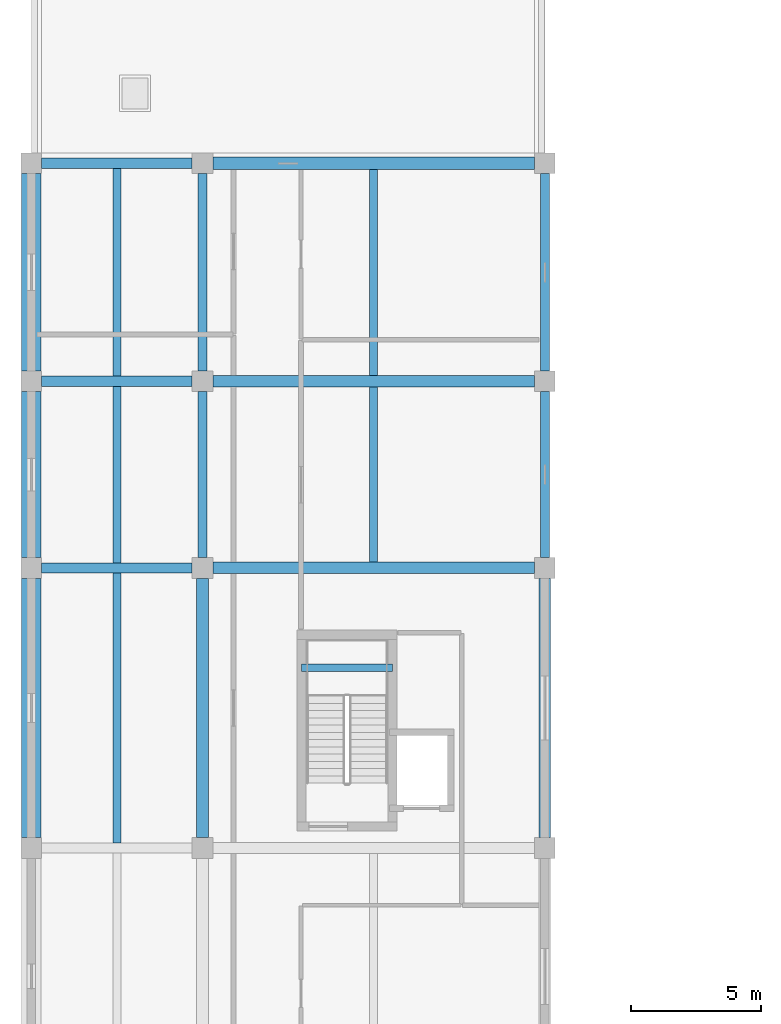
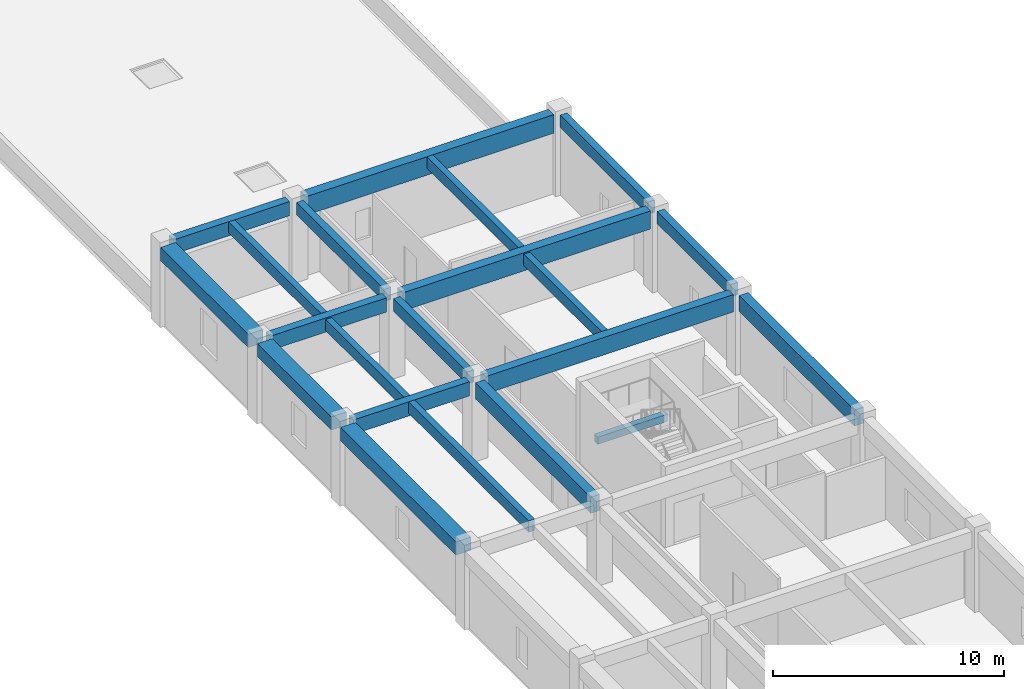
# One storey, part 23 of 54: 21 beams.
"""IFC4 building model written with IfcOpenShell, lengths in metres."""

import ifcopenshell
import ifcopenshell.guid

model = None  # the IFC model being written
_history = None  # IfcOwnerHistory: only IFC2X3 demands one
_inside = {}  # id of a spatial element -> (the spatial element, [elements in it])
_under = {}  # id of a project, library or spatial element -> (it, [spatial elements below it])
_declared = {}  # id of a project -> (the project, [libraries it declares])
_typed = {}  # id of a type object -> (the type object, [elements of that type])
_made_of = {}  # id of a material, layer set ... -> (it, [elements and type objects made of it])


def new_model(schema):
    """Start an empty IFC model of exactly this schema.

    Asked for "IFC4X3", IfcOpenShell would pick the latest addendum, in which some entities
    have other attributes; the version numbers below select the first issue.
    IFC2X3 requires an IfcOwnerHistory on every rooted entity: one is made here for all.
    """
    global model, _history
    if schema == "IFC4X3":
        model = ifcopenshell.file(schema_version=(4, 3, 0, 0))
    else:
        model = ifcopenshell.file(schema=schema)
    _inside.clear()
    _under.clear()
    _declared.clear()
    _typed.clear()
    _made_of.clear()
    _history = None
    if model.schema == "IFC2X3":
        org = make("IfcOrganization", Name="unknown")
        user = make(
            "IfcPersonAndOrganization",
            ThePerson=make("IfcPerson", FamilyName="unknown"),
            TheOrganization=org,
        )
        app = make(
            "IfcApplication",
            ApplicationDeveloper=org,
            Version="unknown",
            ApplicationFullName="unknown",
            ApplicationIdentifier="unknown",
        )
        _history = make(
            "IfcOwnerHistory",
            OwningUser=user,
            OwningApplication=app,
            ChangeAction="ADDED",
            CreationDate=0,
        )
    return model


def make(cls, **values):
    """One entity of the class cls with the attributes given. An attribute that is None is left unset."""
    return model.create_entity(
        cls, **{name: value for name, value in values.items() if value is not None}
    )


def rooted(cls, **values):
    """An entity with a GlobalId (a new one), such as an element, a storey or a relation."""
    return make(cls, GlobalId=ifcopenshell.guid.new(), OwnerHistory=_history, **values)


def si_unit(unit_type, name, prefix=None):
    """IfcSIUnit, for example si_unit("LENGTHUNIT", "METRE", prefix="MILLI")."""
    return make("IfcSIUnit", UnitType=unit_type, Prefix=prefix, Name=name)


def assignment(units):
    """IfcUnitAssignment: the units of a project."""
    return None if units is None else make("IfcUnitAssignment", Units=units)


def point(xyz):
    """IfcCartesianPoint."""
    return None if xyz is None else make("IfcCartesianPoint", Coordinates=xyz)


def direction(xyz):
    """IfcDirection."""
    return None if xyz is None else make("IfcDirection", DirectionRatios=xyz)


def frame(location, z_axis=None, x_axis=None):
    """IfcAxis2Placement3D, a coordinate frame: its origin and axes. An axis left out is left unset."""
    return make(
        "IfcAxis2Placement3D",
        Location=point(location),
        Axis=direction(z_axis),
        RefDirection=direction(x_axis),
    )


def frame_2d(location, x_axis=None):
    """IfcAxis2Placement2D, a coordinate frame in the plane: its origin and x axis."""
    return make(
        "IfcAxis2Placement2D", Location=point(location), RefDirection=direction(x_axis)
    )


def origin():
    """The frame at (0, 0, 0) with its axes left unset."""
    return frame((0.0, 0.0, 0.0))


def origin_2d():
    """The frame at (0, 0) in the plane with its x axis left unset."""
    return frame_2d((0.0, 0.0))


def place(relative_to, where):
    """IfcLocalPlacement: puts the frame where relative to a parent placement (None: the world)."""
    return make(
        "IfcLocalPlacement", PlacementRelTo=relative_to, RelativePlacement=where
    )


def context(
    kind, dimensions, precision=None, world=None, true_north=None, identifier=None
):
    """IfcGeometricRepresentationContext, for example the 3D "Model" context."""
    return make(
        "IfcGeometricRepresentationContext",
        ContextIdentifier=identifier,
        ContextType=kind,
        CoordinateSpaceDimension=dimensions,
        Precision=precision,
        WorldCoordinateSystem=world,
        TrueNorth=true_north,
    )


def subcontext(parent, identifier, kind, view, scale=None):
    """IfcGeometricRepresentationSubContext, for example "Body" below "Model"."""
    return make(
        "IfcGeometricRepresentationSubContext",
        ContextIdentifier=identifier,
        ContextType=kind,
        ParentContext=parent,
        TargetScale=scale,
        TargetView=view,
    )


def project(units=None, contexts=None):
    """IfcProject with its units and contexts."""
    return rooted(
        "IfcProject",
        Name="project",
        RepresentationContexts=contexts,
        UnitsInContext=assignment(units),
    )


def spatial(cls, under=None, at=None, **own):
    """A site, building, storey or space (cls), placed at a placement, below another one or the project."""
    s = rooted(cls, ObjectPlacement=at, **own)
    if under is not None:
        _under.setdefault(under.id(), (under, []))[1].append(s)
    return s


def profile(cls, at=None, kind="AREA", **sizes):
    """A parametric profile (cls). Its sizes go by their IFC names, for example OverallWidth=200.0."""
    return make(cls, ProfileType=kind, Position=at, **sizes)


def rectangle(**sizes):
    """IfcRectangleProfileDef."""
    return profile("IfcRectangleProfileDef", **sizes)


def extrude(swept, where, along, depth):
    """IfcExtrudedAreaSolid: the profile swept, set in the frame where, extruded along a direction by depth."""
    return make(
        "IfcExtrudedAreaSolid",
        SweptArea=swept,
        Position=where,
        ExtrudedDirection=direction(along),
        Depth=depth,
    )


def shape(context_of_items, identifier, shape_type, items):
    """IfcShapeRepresentation: the items that make up one representation, for example the "Body"."""
    return make(
        "IfcShapeRepresentation",
        ContextOfItems=context_of_items,
        RepresentationIdentifier=identifier,
        RepresentationType=shape_type,
        Items=items,
    )


def material(Name=None, Category=None):
    """IfcMaterial."""
    return make("IfcMaterial", Name=Name, Category=Category)


def material_profile(
    of_material, cross_section, Name=None, Category=None, Priority=None
):
    """IfcMaterialProfile: a cross section and its material."""
    return make(
        "IfcMaterialProfile",
        Name=Name,
        Material=of_material,
        Profile=cross_section,
        Priority=Priority,
        Category=Category,
    )


def profile_set(profiles, Name=None, composite=None):
    """IfcMaterialProfileSet."""
    return make(
        "IfcMaterialProfileSet",
        Name=Name,
        MaterialProfiles=profiles,
        CompositeProfile=composite,
    )


def made_of(thing, what):
    """Note that an element or type object is made of a material, layer set ...; save() writes the relation."""
    if what is not None:
        _made_of.setdefault(what.id(), (what, []))[1].append(thing)
    return thing


def type_object(cls, material=None, **own):
    """A type object (cls), such as IfcWallType, which elements share."""
    return made_of(rooted(cls, **own), material)


def element(
    cls,
    number,
    at=None,
    inside=None,
    cuts=None,
    type_object=None,
    material=None,
    context=None,
    identifier="Body",
    shape_type=None,
    held_by="IfcProductDefinitionShape",
    body=None,
    shapes=None,
    **own,
):
    """One element of the class cls, such as IfcWall. Its Tag is "e" and its number.

    at: its placement. inside: the storey or other place that contains it. cuts: it is an
    opening in that element (IfcRelVoidsElement). A single representation is given by context,
    identifier, shape_type and body (its items); several are given by shapes. held_by: the class
    of the entity that holds the representations. save() writes the other relations.
    """
    e = rooted(cls, Tag="e%d" % number, ObjectPlacement=at, **own)
    if body is not None:
        shapes = [shape(context, identifier, shape_type, body)]
    if shapes is not None:
        e.Representation = make(held_by, Representations=shapes)
    if inside is not None:
        _inside.setdefault(inside.id(), (inside, []))[1].append(e)
    if cuts is not None:
        rooted(
            "IfcRelVoidsElement", RelatingBuildingElement=cuts, RelatedOpeningElement=e
        )
    if type_object is not None:
        _typed.setdefault(type_object.id(), (type_object, []))[1].append(e)
    return made_of(e, material)


def aggregate(whole, parts):
    """IfcRelAggregates: a whole, such as a stair, and the parts it consists of."""
    return rooted("IfcRelAggregates", RelatingObject=whole, RelatedObjects=parts)


def save(model, path):
    """Write the relations noted so far, then the file.

    IfcRelAggregates (storeys below a building ...), IfcRelContainedInSpatialStructure (elements
    in a storey), IfcRelDefinesByType, IfcRelAssociatesMaterial and IfcRelDeclares: one each for
    every whole, place, type object, material and project.
    """
    for whole, parts in _under.values():
        aggregate(whole, parts)
    for where, things in _inside.values():
        rooted(
            "IfcRelContainedInSpatialStructure",
            RelatedElements=things,
            RelatingStructure=where,
        )
    for kind, things in _typed.values():
        rooted("IfcRelDefinesByType", RelatedObjects=things, RelatingType=kind)
    for what, things in _made_of.values():
        rooted("IfcRelAssociatesMaterial", RelatedObjects=things, RelatingMaterial=what)
    for by, libraries in _declared.values():
        rooted("IfcRelDeclares", RelatingContext=by, RelatedDefinitions=libraries)
    model.write(path)


model = new_model("IFC4")

# Units and contexts
model_context = context("Model", 3, precision=1e-05, world=origin(), true_north=direction((0.0, 1.0)))
body_context = subcontext(model_context, "Body", "Model", "MODEL_VIEW")
ifc_project = project(units=[si_unit("LENGTHUNIT", "METRE"), si_unit("AREAUNIT", "SQUARE_METRE"), si_unit("VOLUMEUNIT", "CUBIC_METRE"), si_unit("PLANEANGLEUNIT", "RADIAN"), si_unit("MASSUNIT", "GRAM", prefix="KILO")], contexts=[model_context])

# Site, building, storey
site_placement = place(None, origin())
site = spatial("IfcSite", under=ifc_project, at=site_placement, CompositionType="ELEMENT")
building_placement = place(site_placement, origin())
building = spatial("IfcBuilding", under=site, at=building_placement, Name="Miralva Faculty of Natural Sciences", CompositionType="ELEMENT")
storey_placement = place(building_placement, frame((0.0, 0.0, 19.5)))
storey = spatial("IfcBuildingStorey", under=building, at=storey_placement, Name="L04", CompositionType="ELEMENT", Elevation=19.5)

# Beams
ifc_material = material(Name="Concrete C40/50", Category="concrete")
ifc_material_profile_1 = material_profile(ifc_material, rectangle(XDim=0.449951171875, YDim=0.85009765625, at=origin_2d()), Name="RC 450x850")
ifc_profile_set_1 = profile_set([ifc_material_profile_1], Name="Concrete C40/50")
beam_type_1 = type_object("IfcBeamType", Name="BM-B01", PredefinedType="BEAM", material=ifc_profile_set_1)
for number, where, z_axis, x_axis, name in (
    (1, (9.60009765625, 65.800048828125, 3.7548828125), (0.0, 1.0, 0.0), (-1.0, 0.0, 0.0), "Girder NS L04-53"),
    (2, (22.800048828125, 65.800048828125, 3.7548828125), (0.0, 1.0, 0.0), (-1.0, 0.0, 0.0), "Girder NS L04-66"),
):
    element("IfcBeam", number, at=place(storey_placement, frame(where, z_axis=z_axis, x_axis=x_axis)), inside=storey, type_object=beam_type_1, Name=name, PredefinedType="BEAM", context=body_context, shape_type="SweptSolid", body=[
        extrude(rectangle(XDim=0.449951171875, YDim=0.85009765625, at=origin_2d()), origin(), (0.0, 0.0, 1.0), 10.0),
    ])
ifc_material_profile_2 = material_profile(ifc_material, rectangle(XDim=0.39990234375, YDim=0.75, at=origin_2d()), Name="RC 400x750")
ifc_profile_set_2 = profile_set([ifc_material_profile_2], Name="Concrete C40/50")
beam_type_2 = type_object("IfcBeamType", Name="BM-B03", PredefinedType="BEAM", material=ifc_profile_set_2)
for number, where, z_axis, x_axis, name in (
    (3, (3.39990234375, 76.199951171875, 3.804931640625), (1.0, 0.0, 0.0), (0.0, 1.0, 0.0), "Girder EW L04-30"),
    (4, (3.39990234375, 83.39990234375, 3.875), (1.0, 0.0, 0.0), (0.0, 1.0, 0.0), "Girder EW L04-32"),
    (5, (3.39990234375, 91.800048828125, 3.875), (1.0, 0.0, 0.0), (0.0, 1.0, 0.0), "Girder EW L04-34"),
):
    element("IfcBeam", number, at=place(storey_placement, frame(where, z_axis=z_axis, x_axis=x_axis)), inside=storey, type_object=beam_type_2, Name=name, PredefinedType="BEAM", context=body_context, shape_type="SweptSolid", body=[
        extrude(rectangle(XDim=0.39990234375, YDim=0.75, at=origin_2d()), origin(), (0.0, 0.0, 1.0), 5.800048828125),
    ])
ifc_material_profile_3 = material_profile(ifc_material, rectangle(XDim=0.35009765625, YDim=0.64990234375, at=origin_2d()), Name="RC 350x650")
ifc_profile_set_3 = profile_set([ifc_material_profile_3], Name="Concrete C40/50")
beam_type_3 = type_object("IfcBeamType", Name="BM-B05", PredefinedType="BEAM", material=ifc_profile_set_3)
beam_1_placement = place(storey_placement, frame((9.60009765625, 76.60009765625, 3.925048828125), z_axis=(0.0, 1.0, 0.0), x_axis=(-1.0, 0.0, 0.0)))
element("IfcBeam", 6, at=beam_1_placement, inside=storey, type_object=beam_type_3, Name="Girder NS L04-54", PredefinedType="BEAM", context=body_context, shape_type="SweptSolid", body=[
    extrude(rectangle(XDim=0.35009765625, YDim=0.64990234375, at=origin_2d()), origin(), (0.0, 0.0, 1.0), 6.39990234375),
])
beam_2_placement = place(storey_placement, frame((9.60009765625, 83.800048828125, 3.925048828125), z_axis=(0.0, 1.0, 0.0), x_axis=(-1.0, 0.0, 0.0)))
element("IfcBeam", 7, at=beam_2_placement, inside=storey, type_object=beam_type_3, Name="Girder NS L04-55", PredefinedType="BEAM", context=body_context, shape_type="SweptSolid", body=[
    extrude(rectangle(XDim=0.35009765625, YDim=0.64990234375, at=origin_2d()), origin(), (0.0, 0.0, 1.0), 7.599853515625),
])
beam_3_placement = place(storey_placement, frame((22.800048828125, 76.60009765625, 3.925048828125), z_axis=(0.0, 1.0, 0.0), x_axis=(-1.0, 0.0, 0.0)))
element("IfcBeam", 8, at=beam_3_placement, inside=storey, type_object=beam_type_3, Name="Girder NS L04-67", PredefinedType="BEAM", context=body_context, shape_type="SweptSolid", body=[
    extrude(rectangle(XDim=0.35009765625, YDim=0.64990234375, at=origin_2d()), origin(), (0.0, 0.0, 1.0), 6.39990234375),
])
beam_4_placement = place(storey_placement, frame((22.800048828125, 83.800048828125, 3.925048828125), z_axis=(0.0, 1.0, 0.0), x_axis=(-1.0, 0.0, 0.0)))
element("IfcBeam", 9, at=beam_4_placement, inside=storey, type_object=beam_type_3, Name="Girder NS L04-68", PredefinedType="BEAM", context=body_context, shape_type="SweptSolid", body=[
    extrude(rectangle(XDim=0.35009765625, YDim=0.64990234375, at=origin_2d()), origin(), (0.0, 0.0, 1.0), 7.599853515625),
])
ifc_material_profile_4 = material_profile(ifc_material, rectangle(XDim=0.43994140625, YDim=0.919921875, at=origin_2d()), Name="RC 440x920")
ifc_profile_set_4 = profile_set([ifc_material_profile_4], Name="Concrete C40/50")
beam_type_4 = type_object("IfcBeamType", Name="BM-BG14", PredefinedType="BEAM", material=ifc_profile_set_4)
beam_5_placement = place(storey_placement, frame((10.0, 76.199951171875, 3.719970703125), z_axis=(1.0, 0.0, 0.0), x_axis=(0.0, 1.0, 0.0)))
element("IfcBeam", 10, at=beam_5_placement, inside=storey, type_object=beam_type_4, Name="Girder EW L04-31", PredefinedType="BEAM", context=body_context, shape_type="SweptSolid", body=[
    extrude(rectangle(XDim=0.43994140625, YDim=0.919921875, at=origin_2d()), origin(), (0.0, 0.0, 1.0), 12.39990234375),
])
ifc_material_profile_5 = material_profile(ifc_material, rectangle(XDim=0.4599609375, YDim=0.9599609375, at=origin_2d()), Name="RC 460x960")
ifc_profile_set_5 = profile_set([ifc_material_profile_5], Name="Concrete C40/50")
beam_type_5 = type_object("IfcBeamType", Name="BM-BG16", PredefinedType="BEAM", material=ifc_profile_set_5)
beam_6_placement = place(storey_placement, frame((10.0, 83.39990234375, 3.77001953125), z_axis=(1.0, 0.0, 0.0), x_axis=(0.0, 1.0, 0.0)))
element("IfcBeam", 11, at=beam_6_placement, inside=storey, type_object=beam_type_5, Name="Girder EW L04-33", PredefinedType="BEAM", context=body_context, shape_type="SweptSolid", body=[
    extrude(rectangle(XDim=0.4599609375, YDim=0.9599609375, at=origin_2d()), origin(), (0.0, 0.0, 1.0), 12.39990234375),
])
ifc_material_profile_6 = material_profile(ifc_material, rectangle(XDim=0.47998046875, YDim=0.97998046875, at=origin_2d()), Name="RC 480x980")
ifc_profile_set_6 = profile_set([ifc_material_profile_6], Name="Concrete C40/50")
beam_type_6 = type_object("IfcBeamType", Name="BM-BG18", PredefinedType="BEAM", material=ifc_profile_set_6)
beam_7_placement = place(storey_placement, frame((10.0, 91.800048828125, 3.760009765625), z_axis=(1.0, 0.0, 0.0), x_axis=(0.0, 1.0, 0.0)))
element("IfcBeam", 12, at=beam_7_placement, inside=storey, type_object=beam_type_6, Name="Girder EW L04-35", PredefinedType="BEAM", context=body_context, shape_type="SweptSolid", body=[
    extrude(rectangle(XDim=0.47998046875, YDim=0.97998046875, at=origin_2d()), origin(), (0.0, 0.0, 1.0), 12.39990234375),
])
ifc_material_profile_7 = material_profile(ifc_material, rectangle(XDim=0.300048828125, YDim=0.60009765625, at=origin_2d()), Name="RC 300x600")
ifc_profile_set_7 = profile_set([ifc_material_profile_7], Name="Concrete C40/50")
beam_type_7 = type_object("IfcBeamType", Name="BM-J01", PredefinedType="JOIST", material=ifc_profile_set_7)
beam_8_placement = place(storey_placement, frame((6.300048828125, 65.60009765625, 3.8798828125), z_axis=(0.0, 1.0, 0.0), x_axis=(-1.0, 0.0, 0.0)))
element("IfcBeam", 13, at=beam_8_placement, inside=storey, type_object=beam_type_7, Name="Floor joist L04-15", PredefinedType="JOIST", context=body_context, shape_type="SweptSolid", body=[
    extrude(rectangle(XDim=0.300048828125, YDim=0.60009765625, at=origin_2d()), origin(), (0.0, 0.0, 1.0), 10.39990234375),
])
beam_9_placement = place(storey_placement, frame((6.300048828125, 76.39990234375, 3.8798828125), z_axis=(0.0, 1.0, 0.0), x_axis=(-1.0, 0.0, 0.0)))
element("IfcBeam", 14, at=beam_9_placement, inside=storey, type_object=beam_type_7, Name="Floor joist L04-16", PredefinedType="JOIST", context=body_context, shape_type="SweptSolid", body=[
    extrude(rectangle(XDim=0.300048828125, YDim=0.60009765625, at=origin_2d()), origin(), (0.0, 0.0, 1.0), 6.800048828125),
])
beam_10_placement = place(storey_placement, frame((16.199951171875, 76.419921875, 3.8798828125), z_axis=(0.0, 1.0, 0.0), x_axis=(-1.0, 0.0, 0.0)))
element("IfcBeam", 15, at=beam_10_placement, inside=storey, type_object=beam_type_7, Name="Floor joist L04-17", PredefinedType="JOIST", context=body_context, shape_type="SweptSolid", body=[
    extrude(rectangle(XDim=0.300048828125, YDim=0.60009765625, at=origin_2d()), origin(), (0.0, 0.0, 1.0), 6.75),
])
beam_11_placement = place(storey_placement, frame((6.300048828125, 83.60009765625, 3.949951171875), z_axis=(0.0, 1.0, 0.0), x_axis=(-1.0, 0.0, 0.0)))
element("IfcBeam", 16, at=beam_11_placement, inside=storey, type_object=beam_type_7, Name="Floor joist L04-18", PredefinedType="JOIST", context=body_context, shape_type="SweptSolid", body=[
    extrude(rectangle(XDim=0.300048828125, YDim=0.60009765625, at=origin_2d()), origin(), (0.0, 0.0, 1.0), 8.0),
])
beam_12_placement = place(storey_placement, frame((16.199951171875, 83.6298828125, 3.949951171875), z_axis=(0.0, 1.0, 0.0), x_axis=(-1.0, 0.0, 0.0)))
element("IfcBeam", 17, at=beam_12_placement, inside=storey, type_object=beam_type_7, Name="Floor joist L04-19", PredefinedType="JOIST", context=body_context, shape_type="SweptSolid", body=[
    extrude(rectangle(XDim=0.300048828125, YDim=0.60009765625, at=origin_2d()), origin(), (0.0, 0.0, 1.0), 7.93017578125),
])
ifc_material_profile_8 = material_profile(ifc_material, rectangle(XDim=0.300048828125, YDim=0.3798828125, at=origin_2d()), Name="RC 300x380")
ifc_profile_set_8 = profile_set([ifc_material_profile_8], Name="Concrete C40/50")
beam_type_8 = type_object("IfcBeamType", Name="BM-LND01", PredefinedType="BEAM", material=ifc_profile_set_8)
beam_13_placement = place(storey_placement, frame((13.425048828125, 72.35498046875, 1.8701171875), z_axis=(1.0, 0.0, 0.0), x_axis=(0.0, 1.0, 0.0)))
element("IfcBeam", 18, at=beam_13_placement, inside=storey, type_object=beam_type_8, Name="Stair Core C2 half-landing support beam L04", PredefinedType="BEAM", context=body_context, shape_type="SweptSolid", body=[
    extrude(rectangle(XDim=0.300048828125, YDim=0.3798828125, at=origin_2d()), origin(), (0.0, 0.0, 1.0), 3.5),
])
ifc_material_profile_9 = material_profile(ifc_material, rectangle(XDim=0.75, YDim=0.699951171875, at=origin_2d()), Name="RC 750x700")
ifc_profile_set_9 = profile_set([ifc_material_profile_9], Name="Concrete C40/50")
beam_type_9 = type_object("IfcBeamType", Name="BM-SP01", PredefinedType="SPANDREL", material=ifc_profile_set_9)
beam_14_placement = place(storey_placement, frame((3.0, 65.800048828125, 3.830078125), z_axis=(0.0, 1.0, 0.0), x_axis=(-1.0, 0.0, 0.0)))
element("IfcBeam", 19, at=beam_14_placement, inside=storey, type_object=beam_type_9, Name="Girder NS L04-43", PredefinedType="SPANDREL", context=body_context, shape_type="SweptSolid", body=[
    extrude(rectangle(XDim=0.75, YDim=0.699951171875, at=origin_2d()), origin(), (0.0, 0.0, 1.0), 10.0),
])
beam_15_placement = place(storey_placement, frame((3.0, 76.60009765625, 3.89990234375), z_axis=(0.0, 1.0, 0.0), x_axis=(-1.0, 0.0, 0.0)))
element("IfcBeam", 20, at=beam_15_placement, inside=storey, type_object=beam_type_9, Name="Girder NS L04-44", PredefinedType="SPANDREL", context=body_context, shape_type="SweptSolid", body=[
    extrude(rectangle(XDim=0.75, YDim=0.699951171875, at=origin_2d()), origin(), (0.0, 0.0, 1.0), 6.39990234375),
])
beam_16_placement = place(storey_placement, frame((3.0, 83.800048828125, 3.89990234375), z_axis=(0.0, 1.0, 0.0), x_axis=(-1.0, 0.0, 0.0)))
element("IfcBeam", 21, at=beam_16_placement, inside=storey, type_object=beam_type_9, Name="Girder NS L04-45", PredefinedType="SPANDREL", context=body_context, shape_type="SweptSolid", body=[
    extrude(rectangle(XDim=0.75, YDim=0.699951171875, at=origin_2d()), origin(), (0.0, 0.0, 1.0), 7.599853515625),
])

save(model, "model.ifc")
